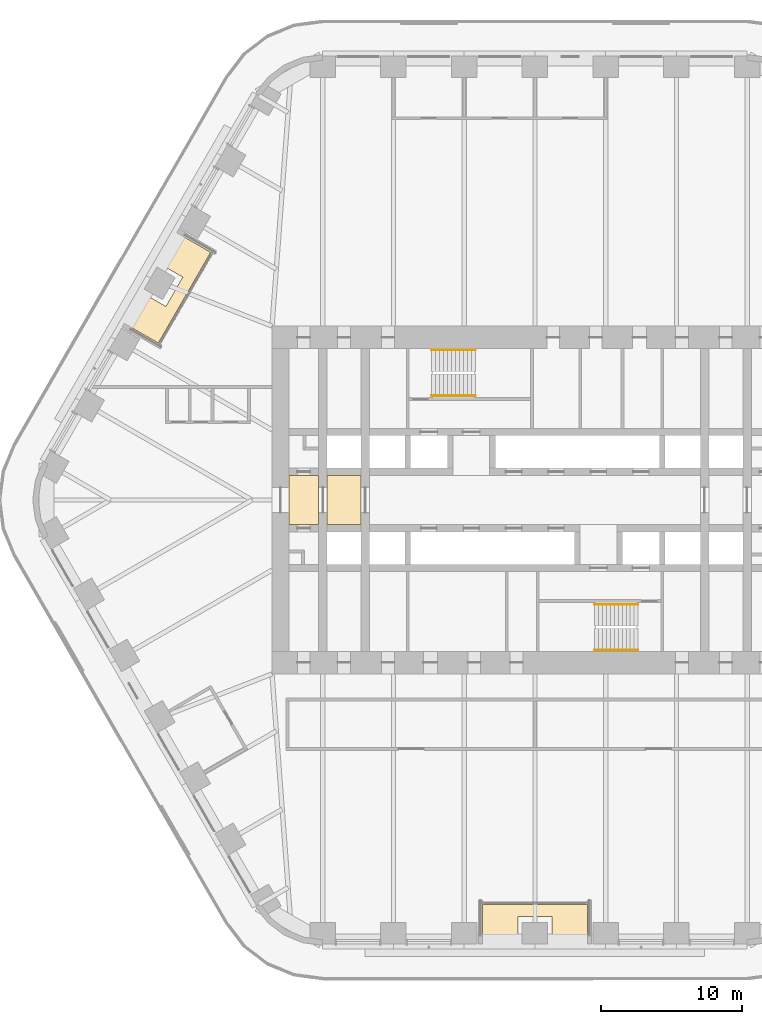
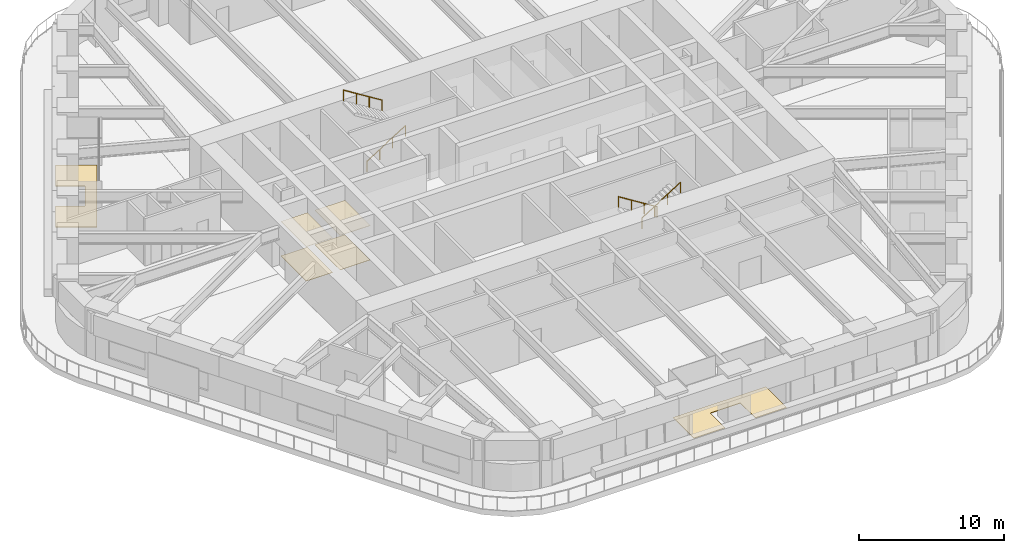
# One storey, part 22 of 24: 6 coverings, 4 railings.
"""IFC4 building model written with IfcOpenShell, lengths in metres."""

from ifc_helpers import new_model, si_unit, direction, frame, origin, origin_2d, place, context, subcontext, project, spatial, polyline, circle, outline, extrude, material, layer, layer_set, type_object, element, save


model = new_model("IFC4")

# Units and contexts
model_context = context("Model", 3, precision=1e-05, world=origin(), true_north=direction((0.0, 1.0)))
body_context = subcontext(model_context, "Body", "Model", "MODEL_VIEW")
ifc_project = project(units=[si_unit("LENGTHUNIT", "METRE"), si_unit("AREAUNIT", "SQUARE_METRE"), si_unit("VOLUMEUNIT", "CUBIC_METRE"), si_unit("PLANEANGLEUNIT", "RADIAN"), si_unit("MASSUNIT", "GRAM", prefix="KILO")], contexts=[model_context])

# Site, building, storey
site_placement = place(None, origin())
site = spatial("IfcSite", under=ifc_project, at=site_placement, CompositionType="ELEMENT")
building_placement = place(site_placement, origin())
building = spatial("IfcBuilding", under=site, at=building_placement, Name="Tarfa Lantern Tower", CompositionType="ELEMENT")
storey_placement = place(building_placement, frame((0.0, 0.0, 127.89990234375)))
storey = spatial("IfcBuildingStorey", under=building, at=storey_placement, Name="L28", CompositionType="ELEMENT", Elevation=127.89990234375)

# Coverings
ifc_material_1 = material(Name="Powder-coated aluminium panel", Category="aluminium")
ifc_layer_1 = layer(ifc_material_1, 0.030029296875)
ifc_layer_set_1 = layer_set([ifc_layer_1], Name="CL3 METAL PANEL CEILING 30")
covering_type_1 = type_object("IfcCoveringType", Name="CL3 METAL PANEL CEILING 30", PredefinedType="CEILING", material=ifc_layer_set_1)
covering_1_placement = place(storey_placement, frame((0.0, 0.0, 2.900146484375)))
element("IfcCovering", 1, at=covering_1_placement, inside=storey, type_object=covering_type_1, Name="Ceiling L28-01", PredefinedType="CEILING", context=body_context, shape_type="SweptSolid", body=[
    extrude(outline(polyline([(-17.39990234375, -1.75), (-15.300048828125, -1.75), (-15.300048828125, 1.75), (-17.39990234375, 1.75), (-17.39990234375, -1.75)])), origin(), (0.0, 0.0, 1.0), 0.030029296875),
])
covering_2_placement = place(storey_placement, frame((0.0, 0.0, 2.900146484375)))
element("IfcCovering", 2, at=covering_2_placement, inside=storey, type_object=covering_type_1, Name="Ceiling L28-02", PredefinedType="CEILING", context=body_context, shape_type="SweptSolid", body=[
    extrude(outline(polyline([(-14.699951171875, -1.75), (-12.300048828125, -1.75), (-12.300048828125, 1.75), (-14.699951171875, 1.75), (-14.699951171875, -1.75)])), origin(), (0.0, 0.0, 1.0), 0.030029296875),
])
ifc_material_2 = material(Name="Honed limestone flooring", Category="masonry")
ifc_layer_2 = layer(ifc_material_2, 0.030029296875)
ifc_layer_set_2 = layer_set([ifc_layer_2], Name="FL2 STONE FLOORING 30")
covering_type_2 = type_object("IfcCoveringType", Name="FL2 STONE FLOORING 30", PredefinedType="FLOORING", material=ifc_layer_set_2)
covering_3_placement = place(storey_placement, origin())
element("IfcCovering", 3, at=covering_3_placement, inside=storey, type_object=covering_type_2, Name="Floor finish L28-01", PredefinedType="FLOORING", context=body_context, shape_type="SweptSolid", body=[
    extrude(outline(polyline([(-17.39990234375, -1.75), (-15.300048828125, -1.75), (-15.300048828125, 1.75), (-17.39990234375, 1.75), (-17.39990234375, -1.75)])), origin(), (0.0, 0.0, 1.0), 0.030029296875),
])
covering_4_placement = place(storey_placement, origin())
element("IfcCovering", 4, at=covering_4_placement, inside=storey, type_object=covering_type_2, Name="Floor finish L28-02", PredefinedType="FLOORING", context=body_context, shape_type="SweptSolid", body=[
    extrude(outline(polyline([(-14.699951171875, -1.75), (-12.300048828125, -1.75), (-12.300048828125, 1.75), (-14.699951171875, 1.75), (-14.699951171875, -1.75)])), origin(), (0.0, 0.0, 1.0), 0.030029296875),
])

# Railings
ifc_material_3 = material(Name="Stainless steel", Category="steel")
railing_type = type_object("IfcRailingType", Name="HR1 HANDRAIL 900", PredefinedType="HANDRAIL", material=ifc_material_3)
railing_1_placement = place(storey_placement, frame((-7.300048828125, 7.3798828125, 0.175048828125)))
element("IfcRailing", 5, at=railing_1_placement, inside=storey, type_object=railing_type, Name="Handrail 1", PredefinedType="HANDRAIL", context=body_context, shape_type="SweptSolid", body=[
    extrude(circle(Radius=0.02392578125, at=origin_2d()), frame((0.0, 0.0, 0.8759765625), z_axis=(0.847998304005, 0.0, 0.529998940003), x_axis=(0.0, 1.0, 0.0)), (0.0, 0.0, 1.0), 3.632080078125),
    extrude(circle(Radius=0.02099609375, at=origin_2d()), frame((0.0, 0.0, 0.0), z_axis=(0.0, 0.0, 1.0), x_axis=(0.0, 1.0, 0.0)), (0.0, 0.0, 1.0), 0.851806640625),
    extrude(circle(Radius=0.02099609375, at=origin_2d()), frame((1.026611328125, 0.0, 0.6416015625), z_axis=(0.0, 0.0, 1.0), x_axis=(0.0, 1.0, 0.0)), (0.0, 0.0, 1.0), 0.851806640625),
    extrude(circle(Radius=0.02099609375, at=origin_2d()), frame((2.053466796875, 0.0, 1.283447265625), z_axis=(0.0, 0.0, 1.0), x_axis=(0.0, 1.0, 0.0)), (0.0, 0.0, 1.0), 0.851806640625),
    extrude(circle(Radius=0.02099609375, at=origin_2d()), frame((3.080078125, 0.0, 1.925048828125), z_axis=(0.0, 0.0, 1.0), x_axis=(0.0, 1.0, 0.0)), (0.0, 0.0, 1.0), 0.851806640625),
])
for number, where, name in (
    (6, (-4.219970703125, 10.6201171875, 2.275146484375), "Handrail 2"),
    (7, (7.300048828125, -7.3798828125, 0.175048828125), "Handrail 1"),
):
    element("IfcRailing", number, at=place(storey_placement, frame(where)), inside=storey, type_object=railing_type, Name=name, PredefinedType="HANDRAIL", context=body_context, shape_type="SweptSolid", body=[
        extrude(circle(Radius=0.02392578125, at=origin_2d()), frame((0.0, 0.0, 0.8759765625), z_axis=(-0.847998304005, 0.0, 0.529998940003), x_axis=(0.0, -1.0, 0.0)), (0.0, 0.0, 1.0), 3.632080078125),
        extrude(circle(Radius=0.02099609375, at=origin_2d()), frame((0.0, 0.0, 0.0), z_axis=(0.0, 0.0, 1.0), x_axis=(0.0, -1.0, 0.0)), (0.0, 0.0, 1.0), 0.851806640625),
        extrude(circle(Radius=0.02099609375, at=origin_2d()), frame((-1.026611328125, 0.0, 0.6416015625), z_axis=(0.0, 0.0, 1.0), x_axis=(0.0, -1.0, 0.0)), (0.0, 0.0, 1.0), 0.851806640625),
        extrude(circle(Radius=0.02099609375, at=origin_2d()), frame((-2.053466796875, 0.0, 1.283447265625), z_axis=(0.0, 0.0, 1.0), x_axis=(0.0, -1.0, 0.0)), (0.0, 0.0, 1.0), 0.851806640625),
        extrude(circle(Radius=0.02099609375, at=origin_2d()), frame((-3.080078125, 0.0, 1.925048828125), z_axis=(0.0, 0.0, 1.0), x_axis=(0.0, -1.0, 0.0)), (0.0, 0.0, 1.0), 0.851806640625),
    ])
railing_2_placement = place(storey_placement, frame((4.219970703125, -10.6201171875, 2.275146484375)))
element("IfcRailing", 8, at=railing_2_placement, inside=storey, type_object=railing_type, Name="Handrail 2", PredefinedType="HANDRAIL", context=body_context, shape_type="SweptSolid", body=[
    extrude(circle(Radius=0.02392578125, at=origin_2d()), frame((0.0, 0.0, 0.8759765625), z_axis=(0.847998304005, 0.0, 0.529998940003), x_axis=(0.0, 1.0, 0.0)), (0.0, 0.0, 1.0), 3.632080078125),
    extrude(circle(Radius=0.02099609375, at=origin_2d()), frame((0.0, 0.0, 0.0), z_axis=(0.0, 0.0, 1.0), x_axis=(0.0, 1.0, 0.0)), (0.0, 0.0, 1.0), 0.851806640625),
    extrude(circle(Radius=0.02099609375, at=origin_2d()), frame((1.026611328125, 0.0, 0.6416015625), z_axis=(0.0, 0.0, 1.0), x_axis=(0.0, 1.0, 0.0)), (0.0, 0.0, 1.0), 0.851806640625),
    extrude(circle(Radius=0.02099609375, at=origin_2d()), frame((2.053466796875, 0.0, 1.283447265625), z_axis=(0.0, 0.0, 1.0), x_axis=(0.0, 1.0, 0.0)), (0.0, 0.0, 1.0), 0.851806640625),
    extrude(circle(Radius=0.02099609375, at=origin_2d()), frame((3.080078125, 0.0, 1.925048828125), z_axis=(0.0, 0.0, 1.0), x_axis=(0.0, 1.0, 0.0)), (0.0, 0.0, 1.0), 0.851806640625),
])

# Coverings
ifc_material_4 = material(Name="Porcelain pavers on pedestals", Category="ceramic")
ifc_layer_3 = layer(ifc_material_4, 0.0400390625)
ifc_layer_set_3 = layer_set([ifc_layer_3], Name="LP1 LOGGIA PAVING 40")
covering_type_3 = type_object("IfcCoveringType", Name="LP1 LOGGIA PAVING 40", PredefinedType="FLOORING", material=ifc_layer_set_3)
covering_5_placement = place(storey_placement, origin())
element("IfcCovering", 9, at=covering_5_placement, inside=storey, type_object=covering_type_3, Name="Loggia paving NW", PredefinedType="FLOORING", context=body_context, shape_type="SweptSolid", body=[
    extrude(outline(polyline([(-25.427978515625, 18.95751953125), (-22.933837890625, 17.517578125), (-26.637451171875, 11.1025390625), (-29.131591796875, 12.54248046875), (-27.8798828125, 14.710693359375), (-26.1044921875, 13.685791015625), (-24.904541015625, 15.76416015625), (-26.6796875, 16.789306640625), (-25.427978515625, 18.95751953125)])), origin(), (0.0, 0.0, 1.0), 0.0400390625),
])
covering_6_placement = place(storey_placement, origin())
element("IfcCovering", 10, at=covering_6_placement, inside=storey, type_object=covering_type_3, Name="Loggia paving S", PredefinedType="FLOORING", context=body_context, shape_type="SweptSolid", body=[
    extrude(outline(polyline([(-3.70361328125, -31.5), (-3.70361328125, -28.6201171875), (3.70361328125, -28.6201171875), (3.70361328125, -31.5), (1.199951171875, -31.5), (1.199951171875, -29.449951171875), (-1.199951171875, -29.449951171875), (-1.199951171875, -31.5), (-3.70361328125, -31.5)])), origin(), (0.0, 0.0, 1.0), 0.0400390625),
])

save(model, "model.ifc")
